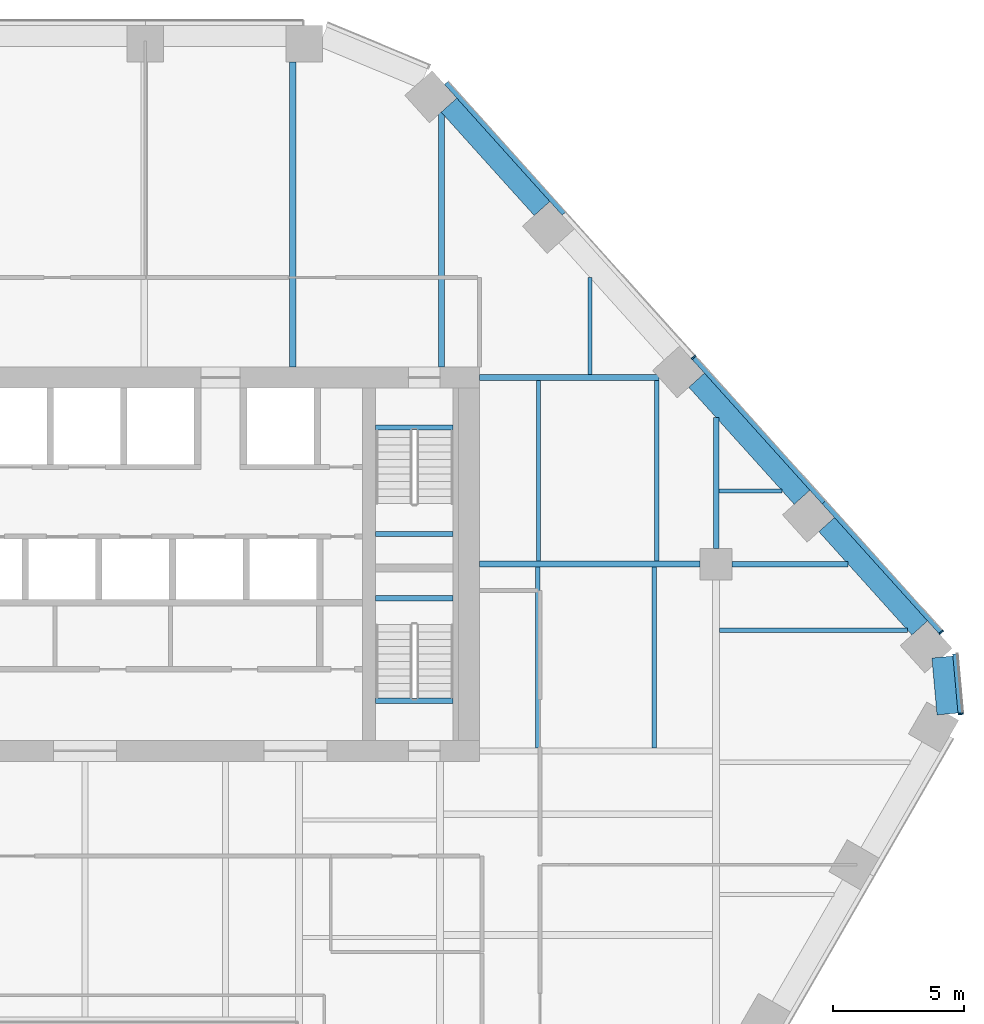
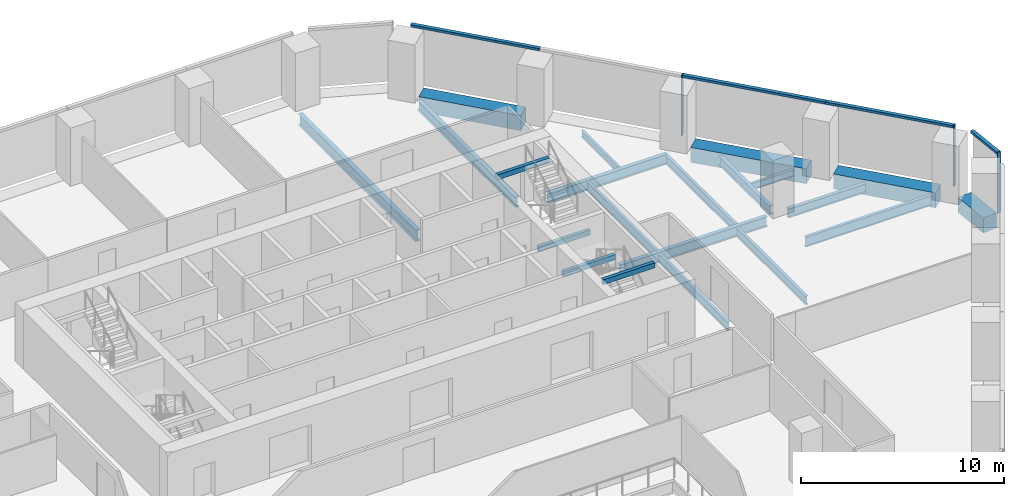
# One storey, part 8 of 16: 21 beams, 7 members, 2 elements without a shape of their own.
"""IFC4 building model written with IfcOpenShell, lengths in metres."""

from ifc_helpers import new_model, si_unit, direction, frame, origin, origin_2d, place, context, subcontext, project, spatial, rectangle, i_section, extrude, material, layer, layer_set, material_profile, profile_set, type_object, element, aggregate, save


model = new_model("IFC4")

# Units and contexts
model_context = context("Model", 3, precision=1e-05, world=origin(), true_north=direction((0.0, 1.0)))
body_context = subcontext(model_context, "Body", "Model", "MODEL_VIEW")
ifc_project = project(units=[si_unit("LENGTHUNIT", "METRE"), si_unit("AREAUNIT", "SQUARE_METRE"), si_unit("VOLUMEUNIT", "CUBIC_METRE"), si_unit("PLANEANGLEUNIT", "RADIAN"), si_unit("MASSUNIT", "GRAM", prefix="KILO")], contexts=[model_context])

# Site, building, storey
site_placement = place(None, origin())
site = spatial("IfcSite", under=ifc_project, at=site_placement, CompositionType="ELEMENT")
building_placement = place(site_placement, origin())
building = spatial("IfcBuilding", under=site, at=building_placement, Name="Isthmus Gate Tower", CompositionType="ELEMENT")
storey_placement = place(building_placement, frame((0.0, 0.0, 155.35009765625)))
storey = spatial("IfcBuildingStorey", under=building, at=storey_placement, Name="L38", CompositionType="ELEMENT", Elevation=155.35009765625)

# Curtain wall, member
ifc_material_1 = material(Name="Aluminium, pale champagne anodised", Category="aluminium")
ifc_layer = layer(ifc_material_1, 0.199951171875)
ifc_layer_set = layer_set([ifc_layer], Name="CW-1 UNITISED CURTAIN WALL 200 DEEP")
curtain_wall_type = type_object("IfcCurtainWallType", Name="CW-1 UNITISED CURTAIN WALL 200 DEEP", PredefinedType="NOTDEFINED", material=ifc_layer_set)
curtain_wall_1_placement = place(storey_placement, origin())
curtain_wall_1 = element("IfcCurtainWall", 1, at=curtain_wall_1_placement, inside=storey, type_object=curtain_wall_type, Name="CW-1 SE-NE L38", PredefinedType="NOTDEFINED")
ifc_material_2 = material(Name="Aluminium, pale champagne anodised", Category="aluminium")
ifc_material_profile_1 = material_profile(ifc_material_2, rectangle(XDim=0.06005859375, YDim=0.199951171875, at=origin_2d()), Name="60x200")
ifc_profile_set_1 = profile_set([ifc_material_profile_1], Name="Aluminium, pale champagne anodised")
member_type_1 = type_object("IfcMemberType", Name="CW-1 MULLION 60 X 200", PredefinedType="MULLION", material=ifc_profile_set_1)
member_1_placement = place(storey_placement, frame((33.307861328125, 1.804443359375, 0.0), z_axis=(0.0, 0.0, 1.0), x_axis=(-0.089396669717, 0.995996102123, 0.0)))
member_1 = element("IfcMember", 2, at=member_1_placement, type_object=member_type_1, Name="CW-1 mullion", PredefinedType="MULLION", context=body_context, shape_type="SweptSolid", body=[
    extrude(rectangle(XDim=0.06005859375, YDim=0.199951171875, at=origin_2d()), origin(), (0.0, 0.0, 1.0), 3.64990234375),
])

# Curtain wall, members
curtain_wall_2_placement = place(storey_placement, origin())
curtain_wall_2 = element("IfcCurtainWall", 3, at=curtain_wall_2_placement, inside=storey, type_object=curtain_wall_type, Name="CW-1 NE L38", PredefinedType="NOTDEFINED")
member_2_placement = place(storey_placement, frame((32.5693359375, 4.908447265625, 0.0), z_axis=(0.0, 0.0, 1.0), x_axis=(-0.669130606359, 0.743144825477, 0.0)))
member_2 = element("IfcMember", 4, at=member_2_placement, type_object=member_type_1, Name="CW-1 mullion", PredefinedType="MULLION", context=body_context, shape_type="SweptSolid", body=[
    extrude(rectangle(XDim=0.06005859375, YDim=0.199951171875, at=origin_2d()), origin(), (0.0, 0.0, 1.0), 3.64990234375),
])
member_3_placement = place(storey_placement, frame((23.14697265625, 15.373046875, 0.0), z_axis=(0.0, 0.0, 1.0), x_axis=(-0.669130606359, 0.743144825477, 0.0)))
member_3 = element("IfcMember", 5, at=member_3_placement, type_object=member_type_1, Name="CW-1 mullion", PredefinedType="MULLION", context=body_context, shape_type="SweptSolid", body=[
    extrude(rectangle(XDim=0.06005859375, YDim=0.199951171875, at=origin_2d()), origin(), (0.0, 0.0, 1.0), 3.64990234375),
])

# Member
ifc_material_3 = material(Name="Aluminium, pale champagne anodised", Category="aluminium")
ifc_material_profile_2 = material_profile(ifc_material_3, rectangle(XDim=0.199951171875, YDim=0.139892578125, at=origin_2d()), Name="200x140")
ifc_profile_set_2 = profile_set([ifc_material_profile_2], Name="Aluminium, pale champagne anodised")
member_type_2 = type_object("IfcMemberType", Name="CW-1 TRANSOM 200 X 140", PredefinedType="USERDEFINED", material=ifc_profile_set_2)
member_4_placement = place(storey_placement, frame((33.30517578125, 1.83447265625, 3.579833984375), z_axis=(-0.089395362867, 0.995996219419, 0.0), x_axis=(-0.995996219419, -0.089395362867, 0.0)))
member_4 = element("IfcMember", 6, at=member_4_placement, type_object=member_type_2, Name="CW-1 transom", ObjectType="TRANSOM", PredefinedType="USERDEFINED", context=body_context, shape_type="SweptSolid", body=[
    extrude(rectangle(XDim=0.199951171875, YDim=0.139892578125, at=origin_2d()), origin(), (0.0, 0.0, 1.0), 2.258544921875),
])

aggregate(curtain_wall_1, [member_1, member_4])

member_5_placement = place(storey_placement, frame((32.54931640625, 4.930908203125, 3.579833984375), z_axis=(-0.669153891975, 0.743123858354, 0.0), x_axis=(-0.743123858354, -0.669153891975, 0.0)))
member_5 = element("IfcMember", 7, at=member_5_placement, type_object=member_type_2, Name="CW-1 transom", ObjectType="TRANSOM", PredefinedType="USERDEFINED", context=body_context, shape_type="SweptSolid", body=[
    extrude(rectangle(XDim=0.199951171875, YDim=0.139892578125, at=origin_2d()), origin(), (0.0, 0.0, 1.0), 6.630859375),
])

member_6_placement = place(storey_placement, frame((28.1123046875, 9.8583984375, 3.579833984375), z_axis=(-0.669123495435, 0.74315122812, 0.0), x_axis=(-0.74315122812, -0.669123495435, 0.0)))
member_6 = element("IfcMember", 8, at=member_6_placement, type_object=member_type_2, Name="CW-1 transom", ObjectType="TRANSOM", PredefinedType="USERDEFINED", context=body_context, shape_type="SweptSolid", body=[
    extrude(rectangle(XDim=0.199951171875, YDim=0.139892578125, at=origin_2d()), origin(), (0.0, 0.0, 1.0), 7.390625),
])

member_7_placement = place(storey_placement, frame((18.221435546875, 20.84326171875, 3.579833984375), z_axis=(-0.669117935274, 0.743156234378, 0.0), x_axis=(-0.743156234378, -0.669117935274, 0.0)))
member_7 = element("IfcMember", 9, at=member_7_placement, type_object=member_type_2, Name="CW-1 transom", ObjectType="TRANSOM", PredefinedType="USERDEFINED", context=body_context, shape_type="SweptSolid", body=[
    extrude(rectangle(XDim=0.199951171875, YDim=0.139892578125, at=origin_2d()), origin(), (0.0, 0.0, 1.0), 6.690673828125),
])

aggregate(curtain_wall_2, [member_2, member_5, member_6, member_3, member_7])

# Beams
ifc_material_4 = material(Name="Concrete f'c 60 MPa", Category="concrete")
ifc_material_profile_3 = material_profile(ifc_material_4, rectangle(XDim=0.800048828125, YDim=0.89990234375, at=origin_2d()), Name="RC 800X900")
ifc_profile_set_3 = profile_set([ifc_material_profile_3], Name="Concrete f'c 60 MPa")
beam_type_1 = type_object("IfcBeamType", Name="RC SPANDREL 800 X 900", PredefinedType="SPANDREL", material=ifc_profile_set_3)
beam_1_placement = place(storey_placement, frame((13.84130859375, 24.960693359375, -0.4501953125), z_axis=(0.669153370522, -0.743124327901, 0.0), x_axis=(0.743124327901, 0.669153370522, 0.0)))
element("IfcBeam", 10, at=beam_1_placement, inside=storey, type_object=beam_type_1, Name="str-spandrel-L38-01", PredefinedType="SPANDREL", context=body_context, shape_type="SweptSolid", body=[
    extrude(rectangle(XDim=0.800048828125, YDim=0.89990234375, at=origin_2d()), origin(), (0.0, 0.0, 1.0), 5.290771484375),
])
beam_2_placement = place(storey_placement, frame((23.263671875, 14.49609375, -0.4501953125), z_axis=(0.669156088603, -0.74312188037, 0.0), x_axis=(0.74312188037, 0.669156088603, 0.0)))
element("IfcBeam", 11, at=beam_2_placement, inside=storey, type_object=beam_type_1, Name="str-spandrel-L38-03", PredefinedType="SPANDREL", context=body_context, shape_type="SweptSolid", body=[
    extrude(rectangle(XDim=0.800048828125, YDim=0.89990234375, at=origin_2d()), origin(), (0.0, 0.0, 1.0), 5.99072265625),
])
beam_3_placement = place(storey_placement, frame((28.209228515625, 9.003662109375, -0.4501953125), z_axis=(0.669130424574, -0.743144989157, 0.0), x_axis=(0.743144989157, 0.669130424574, 0.0)))
element("IfcBeam", 12, at=beam_3_placement, inside=storey, type_object=beam_type_1, Name="str-spandrel-L38-04", PredefinedType="SPANDREL", context=body_context, shape_type="SweptSolid", body=[
    extrude(rectangle(XDim=0.800048828125, YDim=0.89990234375, at=origin_2d()), origin(), (0.0, 0.0, 1.0), 5.290771484375),
])
beam_4_placement = place(storey_placement, frame((32.61181640625, 3.964599609375, -0.4501953125), z_axis=(0.089421511639, -0.995993872098, 0.0), x_axis=(0.995993872098, 0.089421511639, 0.0)))
element("IfcBeam", 13, at=beam_4_placement, inside=storey, type_object=beam_type_1, Name="str-spandrel-L38-05", PredefinedType="SPANDREL", context=body_context, shape_type="SweptSolid", body=[
    extrude(rectangle(XDim=0.800048828125, YDim=0.89990234375, at=origin_2d()), origin(), (0.0, 0.0, 1.0), 2.17333984375),
])
ifc_material_5 = material(Name="Concrete f'c 40 MPa", Category="concrete")
ifc_material_profile_4 = material_profile(ifc_material_5, rectangle(XDim=0.199951171875, YDim=0.300048828125, at=origin_2d()), Name="STAIR LANDING BEAM RC 200 X 300")
ifc_profile_set_4 = profile_set([ifc_material_profile_4], Name="Concrete f'c 40 MPa")
beam_type_2 = type_object("IfcBeamType", Name="STAIR LANDING BEAM RC 200 X 300", PredefinedType="BEAM", material=ifc_profile_set_4)
for number, where, z_axis, x_axis, name in (
    (14, (11.050048828125, 8.64990234375, 1.474853515625), (1.0, 0.0, 0.0), (0.0, 1.0, 0.0), "L38 ST2 landing beam 1"),
    (15, (11.050048828125, 12.7001953125, 3.349853515625), (1.0, 0.0, 0.0), (0.0, 1.0, 0.0), "L38 ST2 floor-edge seat beam"),
    (16, (11.050048828125, 6.199951171875, 1.474853515625), (1.0, 0.0, 0.0), (0.0, 1.0, 0.0), "L38 ST8 landing beam 1"),
    (17, (11.050048828125, 2.2998046875, 3.349853515625), (1.0, 0.0, 0.0), (0.0, 1.0, 0.0), "L38 ST8 floor-edge seat beam"),
):
    element("IfcBeam", number, at=place(storey_placement, frame(where, z_axis=z_axis, x_axis=x_axis)), inside=storey, type_object=beam_type_2, Name=name, PredefinedType="BEAM", context=body_context, shape_type="SweptSolid", body=[
        extrude(rectangle(XDim=0.199951171875, YDim=0.300048828125, at=origin_2d()), origin(), (0.0, 0.0, 1.0), 2.949951171875),
    ])
ifc_material_6 = material(Name="Structural steel ASTM A992 Gr 50", Category="steel")
ifc_material_profile_5 = material_profile(ifc_material_6, i_section(OverallWidth=0.1396484375, OverallDepth=0.4033203125, WebThickness=0.00634765625, FlangeThickness=0.010986328125, at=origin_2d()), Name="W16X31")
ifc_profile_set_5 = profile_set([ifc_material_profile_5], Name="Structural steel ASTM A992 Gr 50")
beam_type_3 = type_object("IfcBeamType", Name="STEEL FLOOR BEAM W16X31", PredefinedType="JOIST", material=ifc_profile_set_5)
beam_5_placement = place(storey_placement, frame((19.204345703125, 14.71435546875, -0.351806640625), z_axis=(0.0, 1.0, 0.0), x_axis=(-1.0, 0.0, 0.0)))
element("IfcBeam", 18, at=beam_5_placement, inside=storey, type_object=beam_type_3, Name="str-beam-L38-05-07", PredefinedType="JOIST", context=body_context, shape_type="SweptSolid", body=[
    extrude(i_section(OverallWidth=0.1396484375, OverallDepth=0.4033203125, WebThickness=0.00634765625, FlangeThickness=0.010986328125, at=origin_2d()), origin(), (0.0, 0.0, 1.0), 3.6923828125),
])
beam_6_placement = place(storey_placement, frame((24.104736328125, 10.284423828125, -0.351806640625), z_axis=(1.0, 0.0, 0.0), x_axis=(0.0, 1.0, 0.0)))
element("IfcBeam", 19, at=beam_6_placement, inside=storey, type_object=beam_type_3, Name="str-beam-L38-15-00", PredefinedType="JOIST", context=body_context, shape_type="SweptSolid", body=[
    extrude(i_section(OverallWidth=0.1396484375, OverallDepth=0.4033203125, WebThickness=0.00634765625, FlangeThickness=0.010986328125, at=origin_2d()), origin(), (0.0, 0.0, 1.0), 2.412841796875),
])
ifc_material_7 = material(Name="Structural steel ASTM A992 Gr 50", Category="steel")
ifc_material_profile_6 = material_profile(ifc_material_7, i_section(OverallWidth=0.1650390625, OverallDepth=0.52392578125, WebThickness=0.009521484375, FlangeThickness=0.010986328125, at=origin_2d()), Name="W21X44")
ifc_profile_set_6 = profile_set([ifc_material_profile_6], Name="Structural steel ASTM A992 Gr 50")
beam_type_4 = type_object("IfcBeamType", Name="STEEL FLOOR BEAM W21X44", PredefinedType="JOIST", material=ifc_profile_set_6)
for number, where, z_axis, x_axis, name in (
    (20, (17.25, 7.6142578125, -0.412109375), (0.0, 1.0, 0.0), (-1.0, 0.0, 0.0), "str-beam-L38-13-00"),
    (21, (21.75, 7.6142578125, -0.412109375), (0.0, 1.0, 0.0), (-1.0, 0.0, 0.0), "str-beam-L38-13-01"),
    (22, (17.216552734375, 0.514404296875, -0.412109375), (0.0, 1.0, 0.0), (-1.0, 0.0, 0.0), "str-beam-L38-14-00"),
    (23, (21.64990234375, 0.514404296875, -0.412109375), (0.0, 1.0, 0.0), (-1.0, 0.0, 0.0), "str-beam-L38-14-01"),
):
    element("IfcBeam", number, at=place(storey_placement, frame(where, z_axis=z_axis, x_axis=x_axis)), inside=storey, type_object=beam_type_4, Name=name, PredefinedType="JOIST", context=body_context, shape_type="SweptSolid", body=[
        extrude(i_section(OverallWidth=0.1650390625, OverallDepth=0.52392578125, WebThickness=0.009521484375, FlangeThickness=0.010986328125, at=origin_2d()), origin(), (0.0, 0.0, 1.0), 6.871337890625),
    ])
ifc_material_8 = material(Name="Structural steel ASTM A992 Gr 50", Category="steel")
ifc_material_profile_7 = material_profile(ifc_material_8, i_section(OverallWidth=0.177734375, OverallDepth=0.60009765625, WebThickness=0.009521484375, FlangeThickness=0.0126953125, at=origin_2d()), Name="W24X55")
ifc_profile_set_7 = profile_set([ifc_material_profile_7], Name="Structural steel ASTM A992 Gr 50")
beam_type_5 = type_object("IfcBeamType", Name="STEEL FLOOR BEAM W24X55", PredefinedType="JOIST", material=ifc_profile_set_7)
beam_7_placement = place(storey_placement, frame((24.13330078125, 4.987548828125, -0.4501953125), z_axis=(1.0, 0.0, 0.0), x_axis=(0.0, 1.0, 0.0)))
element("IfcBeam", 24, at=beam_7_placement, inside=storey, type_object=beam_type_5, Name="str-beam-L38-16-02", PredefinedType="JOIST", context=body_context, shape_type="SweptSolid", body=[
    extrude(i_section(OverallWidth=0.177734375, OverallDepth=0.60009765625, WebThickness=0.009521484375, FlangeThickness=0.0126953125, at=origin_2d()), origin(), (0.0, 0.0, 1.0), 7.15380859375),
])
ifc_material_9 = material(Name="Structural steel ASTM A992 Gr 50", Category="steel")
ifc_material_profile_8 = material_profile(ifc_material_9, i_section(OverallWidth=0.228515625, OverallDepth=0.603271484375, WebThickness=0.010986328125, FlangeThickness=0.014404296875, at=origin_2d()), Name="W24X68")
ifc_profile_set_8 = profile_set([ifc_material_profile_8], Name="Structural steel ASTM A992 Gr 50")
beam_type_6 = type_object("IfcBeamType", Name="STEEL FLOOR BEAM W24X68", PredefinedType="JOIST", material=ifc_profile_set_8)
beam_8_placement = place(storey_placement, frame((13.5537109375, 15.0, -0.45166015625), z_axis=(0.0, 1.0, 0.0), x_axis=(-1.0, 0.0, 0.0)))
element("IfcBeam", 25, at=beam_8_placement, inside=storey, type_object=beam_type_6, Name="str-beam-L38-05-06", PredefinedType="JOIST", context=body_context, shape_type="SweptSolid", body=[
    extrude(i_section(OverallWidth=0.228515625, OverallDepth=0.603271484375, WebThickness=0.010986328125, FlangeThickness=0.014404296875, at=origin_2d()), origin(), (0.0, 0.0, 1.0), 9.682373046875),
])
ifc_material_10 = material(Name="Structural steel ASTM A992 Gr 50", Category="steel")
ifc_material_profile_9 = material_profile(ifc_material_10, i_section(OverallWidth=0.25390625, OverallDepth=0.679443359375, WebThickness=0.010986328125, FlangeThickness=0.015869140625, at=origin_2d()), Name="W27X84")
ifc_profile_set_9 = profile_set([ifc_material_profile_9], Name="Structural steel ASTM A992 Gr 50")
beam_type_7 = type_object("IfcBeamType", Name="STEEL FLOOR BEAM W27X84", PredefinedType="JOIST", material=ifc_profile_set_9)
beam_9_placement = place(storey_placement, frame((7.903076171875, 15.0, -0.48974609375), z_axis=(0.0, 1.0, 0.0), x_axis=(-1.0, 0.0, 0.0)))
element("IfcBeam", 26, at=beam_9_placement, inside=storey, type_object=beam_type_7, Name="str-beam-L38-05-05", PredefinedType="JOIST", context=body_context, shape_type="SweptSolid", body=[
    extrude(i_section(OverallWidth=0.25390625, OverallDepth=0.679443359375, WebThickness=0.010986328125, FlangeThickness=0.015869140625, at=origin_2d()), origin(), (0.0, 0.0, 1.0), 11.60009765625),
])
ifc_material_11 = material(Name="Structural steel ASTM A992 Gr 50", Category="steel")
ifc_material_profile_10 = material_profile(ifc_material_11, i_section(OverallWidth=0.20947265625, OverallDepth=0.533447265625, WebThickness=0.009521484375, FlangeThickness=0.015869140625, at=origin_2d()), Name="W21X62")
ifc_profile_set_10 = profile_set([ifc_material_profile_10], Name="Structural steel ASTM A992 Gr 50")
beam_type_8 = type_object("IfcBeamType", Name="STEEL GIRDER W21X62", PredefinedType="BEAM", material=ifc_profile_set_10)
beam_10_placement = place(storey_placement, frame((24.60009765625, 7.5, -0.416748046875), z_axis=(1.0, 0.0, 0.0), x_axis=(0.0, 1.0, 0.0)))
element("IfcBeam", 27, at=beam_10_placement, inside=storey, type_object=beam_type_8, Name="str-girder-L38-06", PredefinedType="BEAM", context=body_context, shape_type="SweptSolid", body=[
    extrude(i_section(OverallWidth=0.20947265625, OverallDepth=0.533447265625, WebThickness=0.009521484375, FlangeThickness=0.015869140625, at=origin_2d()), origin(), (0.0, 0.0, 1.0), 4.4248046875),
])
beam_11_placement = place(storey_placement, frame((24.0, 8.10009765625, -0.416748046875), z_axis=(0.0, 1.0, 0.0), x_axis=(-1.0, 0.0, 0.0)))
element("IfcBeam", 28, at=beam_11_placement, inside=storey, type_object=beam_type_8, Name="str-girder-L38-12", PredefinedType="BEAM", context=body_context, shape_type="SweptSolid", body=[
    extrude(i_section(OverallWidth=0.20947265625, OverallDepth=0.533447265625, WebThickness=0.009521484375, FlangeThickness=0.015869140625, at=origin_2d()), origin(), (0.0, 0.0, 1.0), 4.98046875),
])
ifc_material_12 = material(Name="Structural steel ASTM A992 Gr 50", Category="steel")
ifc_material_profile_11 = material_profile(ifc_material_12, i_section(OverallWidth=0.228515625, OverallDepth=0.603271484375, WebThickness=0.010986328125, FlangeThickness=0.014404296875, at=origin_2d()), Name="W24X68")
ifc_profile_set_11 = profile_set([ifc_material_profile_11], Name="Structural steel ASTM A992 Gr 50")
beam_type_9 = type_object("IfcBeamType", Name="STEEL GIRDER W24X68", PredefinedType="BEAM", material=ifc_profile_set_11)
beam_12_placement = place(storey_placement, frame((15.0, 14.60009765625, -0.45166015625), z_axis=(1.0, 0.0, 0.0), x_axis=(0.0, 1.0, 0.0)))
element("IfcBeam", 29, at=beam_12_placement, inside=storey, type_object=beam_type_9, Name="str-girder-L38-16", PredefinedType="BEAM", context=body_context, shape_type="SweptSolid", body=[
    extrude(i_section(OverallWidth=0.228515625, OverallDepth=0.603271484375, WebThickness=0.010986328125, FlangeThickness=0.014404296875, at=origin_2d()), origin(), (0.0, 0.0, 1.0), 6.824462890625),
])
ifc_material_13 = material(Name="Structural steel ASTM A992 Gr 50", Category="steel")
ifc_material_profile_12 = material_profile(ifc_material_13, i_section(OverallWidth=0.228515625, OverallDepth=0.6064453125, WebThickness=0.010986328125, FlangeThickness=0.017578125, at=origin_2d()), Name="W24X76")
ifc_profile_set_12 = profile_set([ifc_material_profile_12], Name="Structural steel ASTM A992 Gr 50")
beam_type_10 = type_object("IfcBeamType", Name="STEEL GIRDER W24X76", PredefinedType="BEAM", material=ifc_profile_set_12)
beam_13_placement = place(storey_placement, frame((15.0, 7.5, -0.453369140625), z_axis=(1.0, 0.0, 0.0), x_axis=(0.0, 1.0, 0.0)))
element("IfcBeam", 30, at=beam_13_placement, inside=storey, type_object=beam_type_10, Name="str-girder-L38-05", PredefinedType="BEAM", context=body_context, shape_type="SweptSolid", body=[
    extrude(i_section(OverallWidth=0.228515625, OverallDepth=0.6064453125, WebThickness=0.010986328125, FlangeThickness=0.017578125, at=origin_2d()), origin(), (0.0, 0.0, 1.0), 8.39990234375),
])

save(model, "model.ifc")
